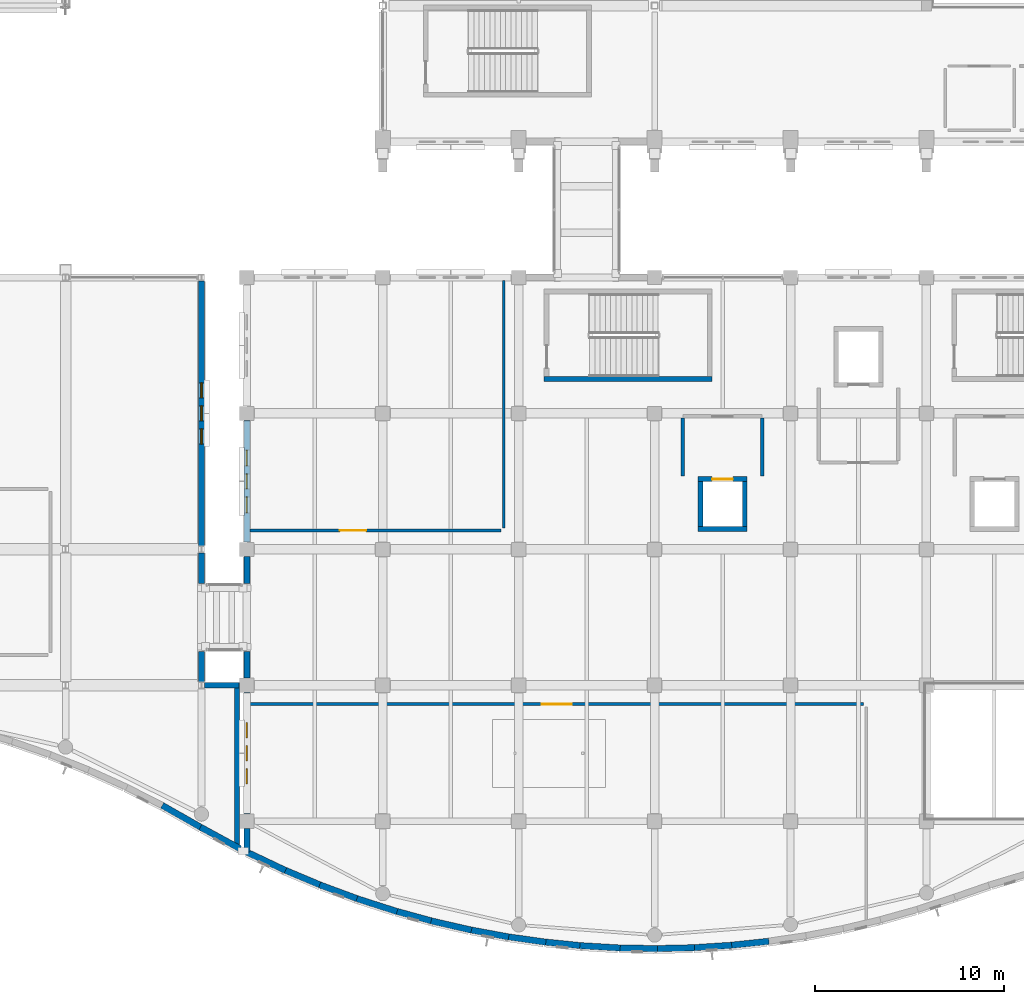
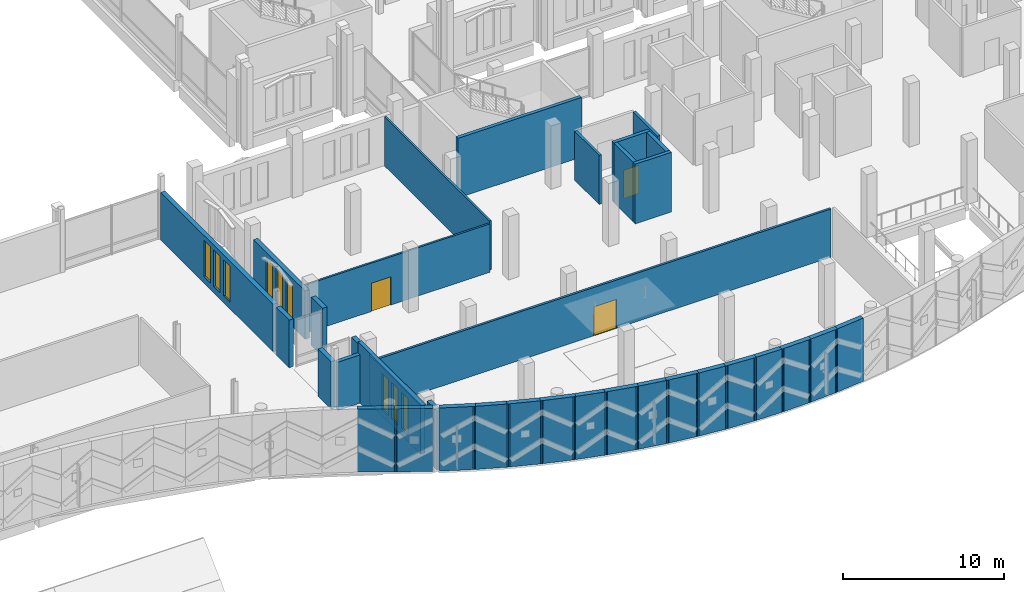
# One storey, part 140 of 193: 36 walls, 9 windows, 3 doors, 12 openings.
"""IFC4 building model written with IfcOpenShell, lengths in metres."""

from ifc_helpers import new_model, si_unit, direction, frame, frame_2d, origin, place, context, subcontext, project, spatial, rectangle, extrude, material, layer, layer_set, type_object, element, fill, save


model = new_model("IFC4")

# Units and contexts
model_context = context("Model", 3, precision=1e-05, world=origin(), true_north=direction((0.0, 1.0)))
body_context = subcontext(model_context, "Body", "Model", "MODEL_VIEW")
ifc_project = project(units=[si_unit("LENGTHUNIT", "METRE"), si_unit("AREAUNIT", "SQUARE_METRE"), si_unit("VOLUMEUNIT", "CUBIC_METRE"), si_unit("PLANEANGLEUNIT", "RADIAN"), si_unit("MASSUNIT", "GRAM", prefix="KILO")], contexts=[model_context])

# Site, building, storey
site_placement = place(None, origin())
site = spatial("IfcSite", under=ifc_project, at=site_placement, CompositionType="ELEMENT")
building_placement = place(site_placement, origin())
building = spatial("IfcBuilding", under=site, at=building_placement, Name="Cendralis Lancet Convention Centre", CompositionType="ELEMENT")
storey_placement = place(building_placement, frame((0.0, 0.0, 10.199951171875)))
storey = spatial("IfcBuildingStorey", under=building, at=storey_placement, Name="L02", CompositionType="ELEMENT", Elevation=10.199951171875)

# Walls
ifc_material_1 = material(Name="Buff sandstone ashlar and Concrete G40 (C40/50)", Category="masonry")
ifc_layer_1 = layer(ifc_material_1, 0.280029296875, Name="Buff sandstone ashlar and Concrete G40 (C40/50)")
ifc_layer_set_1 = layer_set([ifc_layer_1], Name="Buff sandstone ashlar and Concrete G40 (C40/50)")
wall_type_1 = type_object("IfcWallType", Name="ARC-EW-W280", PredefinedType="STANDARD", material=ifc_layer_set_1)
wall_1_placement = place(storey_placement, frame((131.47998046875, 14.5400390625, 0.0), z_axis=(0.0, 0.0, 1.0), x_axis=(0.0, -1.0, 0.0)))
element("IfcWall", 1, at=wall_1_placement, inside=storey, type_object=wall_type_1, Name="L02 V4 Wave East End Wall", PredefinedType="STANDARD", context=body_context, shape_type="SweptSolid", body=[
    extrude(rectangle(XDim=8.797119140625, YDim=0.280029296875, at=frame_2d((4.3984375, 0.0))), origin(), (0.0, 0.0, 1.0), 4.5),
])
wall_2_placement = place(storey_placement, frame((129.760009765625, 14.39990234375, 0.0), z_axis=(0.0, 0.0, 1.0), x_axis=(1.0, 0.0, 0.0)))
element("IfcWall", 2, at=wall_2_placement, inside=storey, type_object=wall_type_1, Name="L02 V4 Seismic Step Wall", PredefinedType="STANDARD", context=body_context, shape_type="SweptSolid", body=[
    extrude(rectangle(XDim=1.820068359375, YDim=0.280029296875, at=frame_2d((0.91015625, 0.0))), origin(), (0.0, 0.0, 1.0), 3.675048828125),
])
ifc_layer_2 = layer(ifc_material_1, 0.320068359375, Name="Buff sandstone ashlar and Concrete G40 (C40/50)")
ifc_layer_set_2 = layer_set([ifc_layer_2], Name="Buff sandstone ashlar and Concrete G40 (C40/50)")
wall_type_2 = type_object("IfcWallType", Name="ARC-EW-W320", PredefinedType="STANDARD", material=ifc_layer_set_2)
for number, where, z_axis, x_axis, name in (
    (3, (129.60009765625, 21.412109375, 0.0), (0.0, 0.0, 1.0), (0.0, -1.0, 0.0), "L02 V4 Exterior Wall EW-06 #0215"),
    (4, (129.60009765625, 16.199951171875, 0.0), (0.0, 0.0, 1.0), (0.0, -1.0, 0.0), "L02 V4 Exterior Wall EW-06 #0216"),
):
    element("IfcWall", number, at=place(storey_placement, frame(where, z_axis=z_axis, x_axis=x_axis)), inside=storey, type_object=wall_type_2, Name=name, PredefinedType="STANDARD", context=body_context, shape_type="SweptSolid", body=[
        extrude(rectangle(XDim=1.612060546875, YDim=0.320068359375, at=frame_2d((0.80615234375, 0.0))), origin(), (0.0, 0.0, 1.0), 3.625),
    ])

# Wall, openings, windows
wall_3_placement = place(storey_placement, frame((129.60009765625, 35.81201171875, 0.0), z_axis=(0.0, 0.0, 1.0), x_axis=(0.0, -1.0, 0.0)))
wall_3 = element("IfcWall", 5, at=wall_3_placement, inside=storey, type_object=wall_type_2, Name="L02 V4 Exterior Wall EW-06 #0217", PredefinedType="STANDARD", context=body_context, shape_type="SweptSolid", body=[
    extrude(rectangle(XDim=14.02392578125, YDim=0.320068359375, at=frame_2d((7.011962890625, 0.0))), origin(), (0.0, 0.0, 1.0), 3.625),
])
opening_1_placement = place(wall_3_placement, frame((5.39208984375, 0.0, 0.5)))
opening_1 = element("IfcOpeningElement", 6, at=opening_1_placement, cuts=wall_3, Name="Opening WN-07", PredefinedType="OPENING", context=body_context, shape_type="SweptSolid", body=[
    extrude(rectangle(XDim=0.800048828125, YDim=2.75, at=frame_2d((0.39990234375, 1.375))), frame((0.0, 0.169921875, 0.0), z_axis=(0.0, -1.0, 0.0), x_axis=(1.0, 0.0, 0.0)), (0.0, 0.0, 1.0), 0.340087890625),
])
opening_2_placement = place(wall_3_placement, frame((6.612060546875, 0.0, 0.5)))
opening_2 = element("IfcOpeningElement", 7, at=opening_2_placement, cuts=wall_3, Name="Opening WN-07", PredefinedType="OPENING", context=body_context, shape_type="SweptSolid", body=[
    extrude(rectangle(XDim=0.800048828125, YDim=2.75, at=frame_2d((0.39990234375, 1.375))), frame((0.0, 0.169921875, 0.0), z_axis=(0.0, -1.0, 0.0), x_axis=(1.0, 0.0, 0.0)), (0.0, 0.0, 1.0), 0.340087890625),
])
opening_3_placement = place(wall_3_placement, frame((7.83203125, 0.0, 0.5)))
opening_3 = element("IfcOpeningElement", 8, at=opening_3_placement, cuts=wall_3, Name="Opening WN-07", PredefinedType="OPENING", context=body_context, shape_type="SweptSolid", body=[
    extrude(rectangle(XDim=0.800048828125, YDim=2.75, at=frame_2d((0.39990234375, 1.375))), frame((0.0, 0.169921875, 0.0), z_axis=(0.0, -1.0, 0.0), x_axis=(1.0, 0.0, 0.0)), (0.0, 0.0, 1.0), 0.340087890625),
])
ifc_material_2 = material(Name="Double-glazed low-E solar-control glass", Category="glass")
window_type_1 = type_object("IfcWindowType", Name="ARC-WN-LW07", PartitioningType="SINGLE_PANEL", PredefinedType="WINDOW", material=ifc_material_2)
window_1_placement = place(opening_1_placement, origin())
window_1 = element("IfcWindow", 9, at=window_1_placement, inside=storey, type_object=window_type_1, Name="Gothic Lancet Window WN-07 #0430", OverallHeight=2.75, OverallWidth=0.800048828125, PartitioningType="SINGLE_PANEL", PredefinedType="WINDOW", context=body_context, shape_type="SweptSolid", body=[
    extrude(rectangle(XDim=0.800048828125, YDim=2.75, at=frame_2d((0.39990234375, 1.375))), frame((0.0, 0.030029296875, 0.0), z_axis=(0.0, -1.0, 0.0), x_axis=(1.0, 0.0, 0.0)), (0.0, 0.0, 1.0), 0.06005859375),
])
fill(opening_1, window_1)
window_2_placement = place(opening_2_placement, origin())
window_2 = element("IfcWindow", 10, at=window_2_placement, inside=storey, type_object=window_type_1, Name="Gothic Lancet Window WN-07 #0431", OverallHeight=2.75, OverallWidth=0.800048828125, PartitioningType="SINGLE_PANEL", PredefinedType="WINDOW", context=body_context, shape_type="SweptSolid", body=[
    extrude(rectangle(XDim=0.800048828125, YDim=2.75, at=frame_2d((0.39990234375, 1.375))), frame((0.0, 0.030029296875, 0.0), z_axis=(0.0, -1.0, 0.0), x_axis=(1.0, 0.0, 0.0)), (0.0, 0.0, 1.0), 0.06005859375),
])
fill(opening_2, window_2)
window_3_placement = place(opening_3_placement, origin())
window_3 = element("IfcWindow", 11, at=window_3_placement, inside=storey, type_object=window_type_1, Name="Gothic Lancet Window WN-07 #0432", OverallHeight=2.75, OverallWidth=0.800048828125, PartitioningType="SINGLE_PANEL", PredefinedType="WINDOW", context=body_context, shape_type="SweptSolid", body=[
    extrude(rectangle(XDim=0.800048828125, YDim=2.75, at=frame_2d((0.39990234375, 1.375))), frame((0.0, 0.030029296875, 0.0), z_axis=(0.0, -1.0, 0.0), x_axis=(1.0, 0.0, 0.0)), (0.0, 0.0, 1.0), 0.06005859375),
])
fill(opening_3, window_3)

# Wall
wall_4_placement = place(storey_placement, frame((132.0, 5.56005859375, 0.0), z_axis=(0.0, 0.0, 1.0), x_axis=(0.0, 1.0, 0.0)))
element("IfcWall", 12, at=wall_4_placement, inside=storey, type_object=wall_type_2, Name="L02 V5 Exterior Wall EW-06 #0296", PredefinedType="STANDARD", context=body_context, shape_type="SweptSolid", body=[
    extrude(rectangle(XDim=1.2568359375, YDim=0.320068359375, at=frame_2d((0.62841796875, 0.0))), origin(), (0.0, 0.0, 1.0), 4.5),
])

# Wall, openings, windows
wall_5_placement = place(storey_placement, frame((132.0, 7.5830078125, 0.0), z_axis=(0.0, 0.0, 1.0), x_axis=(0.0, 1.0, 0.0)))
wall_5 = element("IfcWall", 13, at=wall_5_placement, inside=storey, type_object=wall_type_2, Name="L02 V5 Exterior Wall EW-06 #0297", PredefinedType="STANDARD", context=body_context, shape_type="SweptSolid", body=[
    extrude(rectangle(XDim=6.43408203125, YDim=0.320068359375, at=frame_2d((3.217041015625, 0.0))), origin(), (0.0, 0.0, 1.0), 3.675048828125),
])
opening_4_placement = place(wall_5_placement, frame((1.596923828125, 0.0, 0.5)))
opening_4 = element("IfcOpeningElement", 14, at=opening_4_placement, cuts=wall_5, Name="Opening WN-07", PredefinedType="OPENING", context=body_context, shape_type="SweptSolid", body=[
    extrude(rectangle(XDim=0.800048828125, YDim=2.75, at=frame_2d((0.39990234375, 1.375))), frame((0.0, 0.169921875, 0.0), z_axis=(0.0, -1.0, 0.0), x_axis=(1.0, 0.0, 0.0)), (0.0, 0.0, 1.0), 0.340087890625),
])
opening_5_placement = place(wall_5_placement, frame((2.81689453125, 0.0, 0.5)))
opening_5 = element("IfcOpeningElement", 15, at=opening_5_placement, cuts=wall_5, Name="Opening WN-07", PredefinedType="OPENING", context=body_context, shape_type="SweptSolid", body=[
    extrude(rectangle(XDim=0.800048828125, YDim=2.75, at=frame_2d((0.39990234375, 1.375))), frame((0.0, 0.169921875, 0.0), z_axis=(0.0, -1.0, 0.0), x_axis=(1.0, 0.0, 0.0)), (0.0, 0.0, 1.0), 0.340087890625),
])
opening_6_placement = place(wall_5_placement, frame((4.037109375, 0.0, 0.5)))
opening_6 = element("IfcOpeningElement", 16, at=opening_6_placement, cuts=wall_5, Name="Opening WN-07", PredefinedType="OPENING", context=body_context, shape_type="SweptSolid", body=[
    extrude(rectangle(XDim=0.800048828125, YDim=2.75, at=frame_2d((0.39990234375, 1.375))), frame((0.0, 0.169921875, 0.0), z_axis=(0.0, -1.0, 0.0), x_axis=(1.0, 0.0, 0.0)), (0.0, 0.0, 1.0), 0.340087890625),
])
window_4_placement = place(opening_4_placement, origin())
window_4 = element("IfcWindow", 17, at=window_4_placement, inside=storey, type_object=window_type_1, Name="Gothic Lancet Window WN-07 #0577", OverallHeight=2.75, OverallWidth=0.800048828125, PartitioningType="SINGLE_PANEL", PredefinedType="WINDOW", context=body_context, shape_type="SweptSolid", body=[
    extrude(rectangle(XDim=0.800048828125, YDim=2.75, at=frame_2d((0.39990234375, 1.375))), frame((0.0, 0.030029296875, 0.0), z_axis=(0.0, -1.0, 0.0), x_axis=(1.0, 0.0, 0.0)), (0.0, 0.0, 1.0), 0.06005859375),
])
fill(opening_4, window_4)
window_5_placement = place(opening_5_placement, origin())
window_5 = element("IfcWindow", 18, at=window_5_placement, inside=storey, type_object=window_type_1, Name="Gothic Lancet Window WN-07 #0578", OverallHeight=2.75, OverallWidth=0.800048828125, PartitioningType="SINGLE_PANEL", PredefinedType="WINDOW", context=body_context, shape_type="SweptSolid", body=[
    extrude(rectangle(XDim=0.800048828125, YDim=2.75, at=frame_2d((0.39990234375, 1.375))), frame((0.0, 0.030029296875, 0.0), z_axis=(0.0, -1.0, 0.0), x_axis=(1.0, 0.0, 0.0)), (0.0, 0.0, 1.0), 0.06005859375),
])
fill(opening_5, window_5)
window_6_placement = place(opening_6_placement, origin())
window_6 = element("IfcWindow", 19, at=window_6_placement, inside=storey, type_object=window_type_1, Name="Gothic Lancet Window WN-07 #0579", OverallHeight=2.75, OverallWidth=0.800048828125, PartitioningType="SINGLE_PANEL", PredefinedType="WINDOW", context=body_context, shape_type="SweptSolid", body=[
    extrude(rectangle(XDim=0.800048828125, YDim=2.75, at=frame_2d((0.39990234375, 1.375))), frame((0.0, 0.030029296875, 0.0), z_axis=(0.0, -1.0, 0.0), x_axis=(1.0, 0.0, 0.0)), (0.0, 0.0, 1.0), 0.06005859375),
])
fill(opening_6, window_6)

# Walls
for number, where, z_axis, x_axis, name in (
    (20, (132.0, 14.782958984375, 0.0), (0.0, 0.0, 1.0), (0.0, 1.0, 0.0), "L02 V5 Exterior Wall EW-06 #0298"),
    (21, (132.0, 19.800048828125, 0.0), (0.0, 0.0, 1.0), (0.0, 1.0, 0.0), "L02 V5 Exterior Wall EW-06 #0299"),
):
    element("IfcWall", number, at=place(storey_placement, frame(where, z_axis=z_axis, x_axis=x_axis)), inside=storey, type_object=wall_type_2, Name=name, PredefinedType="STANDARD", context=body_context, shape_type="SweptSolid", body=[
        extrude(rectangle(XDim=1.4169921875, YDim=0.320068359375, at=frame_2d((0.70849609375, 0.0))), origin(), (0.0, 0.0, 1.0), 3.675048828125),
    ])

# Wall, openings, windows
wall_6_placement = place(storey_placement, frame((132.0, 21.98291015625, 0.0), z_axis=(0.0, 0.0, 1.0), x_axis=(0.0, 1.0, 0.0)))
wall_6 = element("IfcWall", 22, at=wall_6_placement, inside=storey, type_object=wall_type_2, Name="L02 V5 Exterior Wall EW-06 #0300", PredefinedType="STANDARD", context=body_context, shape_type="SweptSolid", body=[
    extrude(rectangle(XDim=6.43408203125, YDim=0.320068359375, at=frame_2d((3.217041015625, 0.0))), origin(), (0.0, 0.0, 1.0), 3.675048828125),
])
opening_7_placement = place(wall_6_placement, frame((1.556884765625, 0.0, 0.5)))
opening_7 = element("IfcOpeningElement", 23, at=opening_7_placement, cuts=wall_6, Name="Opening WN-15", PredefinedType="OPENING", context=body_context, shape_type="SweptSolid", body=[
    extrude(rectangle(XDim=0.840087890625, YDim=2.699951171875, at=frame_2d((0.419921875, 1.35009765625))), frame((0.0, 0.169921875, 0.0), z_axis=(0.0, -1.0, 0.0), x_axis=(1.0, 0.0, 0.0)), (0.0, 0.0, 1.0), 0.340087890625),
])
opening_8_placement = place(wall_6_placement, frame((2.81689453125, 0.0, 0.5)))
opening_8 = element("IfcOpeningElement", 24, at=opening_8_placement, cuts=wall_6, Name="Opening WN-07", PredefinedType="OPENING", context=body_context, shape_type="SweptSolid", body=[
    extrude(rectangle(XDim=0.800048828125, YDim=2.75, at=frame_2d((0.39990234375, 1.375))), frame((0.0, 0.169921875, 0.0), z_axis=(0.0, -1.0, 0.0), x_axis=(1.0, 0.0, 0.0)), (0.0, 0.0, 1.0), 0.340087890625),
])
opening_9_placement = place(wall_6_placement, frame((4.037109375, 0.0, 0.5)))
opening_9 = element("IfcOpeningElement", 25, at=opening_9_placement, cuts=wall_6, Name="Opening WN-15", PredefinedType="OPENING", context=body_context, shape_type="SweptSolid", body=[
    extrude(rectangle(XDim=0.840087890625, YDim=2.699951171875, at=frame_2d((0.419921875, 1.35009765625))), frame((0.0, 0.169921875, 0.0), z_axis=(0.0, -1.0, 0.0), x_axis=(1.0, 0.0, 0.0)), (0.0, 0.0, 1.0), 0.340087890625),
])
window_7_placement = place(opening_8_placement, origin())
window_7 = element("IfcWindow", 26, at=window_7_placement, inside=storey, type_object=window_type_1, Name="Gothic Lancet Window WN-07 #0581", OverallHeight=2.75, OverallWidth=0.800048828125, PartitioningType="SINGLE_PANEL", PredefinedType="WINDOW", context=body_context, shape_type="SweptSolid", body=[
    extrude(rectangle(XDim=0.800048828125, YDim=2.75, at=frame_2d((0.39990234375, 1.375))), frame((0.0, 0.030029296875, 0.0), z_axis=(0.0, -1.0, 0.0), x_axis=(1.0, 0.0, 0.0)), (0.0, 0.0, 1.0), 0.06005859375),
])
fill(opening_8, window_7)
window_type_2 = type_object("IfcWindowType", Name="ARC-WN-LW15", PartitioningType="SINGLE_PANEL", PredefinedType="WINDOW", material=ifc_material_2)
window_8_placement = place(opening_7_placement, origin())
window_8 = element("IfcWindow", 27, at=window_8_placement, inside=storey, type_object=window_type_2, Name="Gothic Lancet Window WN-15 #0580", OverallHeight=2.699951171875, OverallWidth=0.840087890625, PartitioningType="SINGLE_PANEL", PredefinedType="WINDOW", context=body_context, shape_type="SweptSolid", body=[
    extrude(rectangle(XDim=0.840087890625, YDim=2.699951171875, at=frame_2d((0.419921875, 1.35009765625))), frame((0.0, 0.030029296875, 0.0), z_axis=(0.0, -1.0, 0.0), x_axis=(1.0, 0.0, 0.0)), (0.0, 0.0, 1.0), 0.06005859375),
])
fill(opening_7, window_8)
window_9_placement = place(opening_9_placement, origin())
window_9 = element("IfcWindow", 28, at=window_9_placement, inside=storey, type_object=window_type_2, Name="Gothic Lancet Window WN-15 #0582", OverallHeight=2.699951171875, OverallWidth=0.840087890625, PartitioningType="SINGLE_PANEL", PredefinedType="WINDOW", context=body_context, shape_type="SweptSolid", body=[
    extrude(rectangle(XDim=0.840087890625, YDim=2.699951171875, at=frame_2d((0.419921875, 1.35009765625))), frame((0.0, 0.030029296875, 0.0), z_axis=(0.0, -1.0, 0.0), x_axis=(1.0, 0.0, 0.0)), (0.0, 0.0, 1.0), 0.06005859375),
])
fill(opening_9, window_9)

# Walls
ifc_layer_3 = layer(ifc_material_1, 0.340087890625, Name="Buff sandstone ashlar and Concrete G40 (C40/50)")
ifc_layer_set_3 = layer_set([ifc_layer_3], Name="Buff sandstone ashlar and Concrete G40 (C40/50)")
wall_type_3 = type_object("IfcWallType", Name="ARC-EW-W340", PredefinedType="STANDARD", material=ifc_layer_set_3)
wall_7_placement = place(storey_placement, frame((127.51611328125, 8.037109375, 0.0), z_axis=(0.0, 0.0, 1.0), x_axis=(0.869365001854, -0.494170510605, 0.0)))
element("IfcWall", 29, at=wall_7_placement, inside=storey, type_object=wall_type_3, Name="South Boulevard Wave Wall L02 WP-064-WP-065", PredefinedType="STANDARD", context=body_context, shape_type="SweptSolid", body=[
    extrude(rectangle(XDim=2.499267578125, YDim=0.340087890625, at=frame_2d((1.24951171875, 0.0))), origin(), (0.0, 0.0, 1.0), 4.800048828125),
])
wall_8_placement = place(storey_placement, frame((129.540283203125, 6.884521484375, 0.0), z_axis=(0.0, 0.0, 1.0), x_axis=(0.878535047762, -0.477677893411, 0.0)))
element("IfcWall", 30, at=wall_8_placement, inside=storey, type_object=wall_type_3, Name="South Boulevard Wave Wall L02 WP-065-WP-066", PredefinedType="STANDARD", context=body_context, shape_type="SweptSolid", body=[
    extrude(rectangle(XDim=2.389892578125, YDim=0.340087890625, at=frame_2d((1.19482421875, 0.0))), origin(), (0.0, 0.0, 1.0), 4.800048828125),
])
wall_9_placement = place(storey_placement, frame((132.0, 5.56005859375, 0.0), z_axis=(0.0, 0.0, 1.0), x_axis=(0.903507193963, -0.428572923151, 0.0)))
element("IfcWall", 31, at=wall_9_placement, inside=storey, type_object=wall_type_3, Name="South Boulevard Wave Wall L02 WP-067-WP-068", PredefinedType="STANDARD", context=body_context, shape_type="SweptSolid", body=[
    extrude(rectangle(XDim=2.264404296875, YDim=0.340087890625, at=frame_2d((1.13232421875, 0.0))), origin(), (0.0, 0.0, 1.0), 4.800048828125),
])
wall_10_placement = place(storey_placement, frame((133.890625, 4.658935546875, 0.0), z_axis=(0.0, 0.0, 1.0), x_axis=(0.921828570825, -0.387597840564, 0.0)))
element("IfcWall", 32, at=wall_10_placement, inside=storey, type_object=wall_type_3, Name="South Boulevard Wave Wall L02 WP-068-WP-069", PredefinedType="STANDARD", context=body_context, shape_type="SweptSolid", body=[
    extrude(rectangle(XDim=2.305908203125, YDim=0.340087890625, at=frame_2d((1.15283203125, 0.0))), origin(), (0.0, 0.0, 1.0), 4.800048828125),
])
wall_11_placement = place(storey_placement, frame((135.8583984375, 3.827392578125, 0.0), z_axis=(0.0, 0.0, 1.0), x_axis=(0.93814646978, -0.346238647813, 0.0)))
element("IfcWall", 33, at=wall_11_placement, inside=storey, type_object=wall_type_3, Name="South Boulevard Wave Wall L02 WP-069-WP-070", PredefinedType="STANDARD", context=body_context, shape_type="SweptSolid", body=[
    extrude(rectangle(XDim=2.269775390625, YDim=0.340087890625, at=frame_2d((1.134765625, 0.0))), origin(), (0.0, 0.0, 1.0), 4.800048828125),
])
wall_12_placement = place(storey_placement, frame((137.8271484375, 3.096923828125, 0.0), z_axis=(0.0, 0.0, 1.0), x_axis=(0.952169210283, -0.305571260083, 0.0)))
element("IfcWall", 34, at=wall_12_placement, inside=storey, type_object=wall_type_3, Name="South Boulevard Wave Wall L02 WP-070-WP-071", PredefinedType="STANDARD", context=body_context, shape_type="SweptSolid", body=[
    extrude(rectangle(XDim=2.23779296875, YDim=0.340087890625, at=frame_2d((1.118896484375, 0.0))), origin(), (0.0, 0.0, 1.0), 4.800048828125),
])
wall_13_placement = place(storey_placement, frame((139.794921875, 2.46142578125, 0.0), z_axis=(0.0, 0.0, 1.0), x_axis=(0.964393520916, -0.264471429108, 0.0)))
element("IfcWall", 35, at=wall_13_placement, inside=storey, type_object=wall_type_3, Name="South Boulevard Wave Wall L02 WP-071-WP-072", PredefinedType="STANDARD", context=body_context, shape_type="SweptSolid", body=[
    extrude(rectangle(XDim=2.2119140625, YDim=0.340087890625, at=frame_2d((1.10595703125, 0.0))), origin(), (0.0, 0.0, 1.0), 4.800048828125),
])
wall_14_placement = place(storey_placement, frame((141.76318359375, 1.91796875, 0.0), z_axis=(0.0, 0.0, 1.0), x_axis=(0.974752541238, -0.223287893424, 0.0)))
element("IfcWall", 36, at=wall_14_placement, inside=storey, type_object=wall_type_3, Name="South Boulevard Wave Wall L02 WP-072-WP-073", PredefinedType="STANDARD", context=body_context, shape_type="SweptSolid", body=[
    extrude(rectangle(XDim=2.18994140625, YDim=0.340087890625, at=frame_2d((1.094970703125, 0.0))), origin(), (0.0, 0.0, 1.0), 4.800048828125),
])
wall_15_placement = place(storey_placement, frame((143.7314453125, 1.46337890625, 0.0), z_axis=(0.0, 0.0, 1.0), x_axis=(0.983183551004, -0.182620111256, 0.0)))
element("IfcWall", 37, at=wall_15_placement, inside=storey, type_object=wall_type_3, Name="South Boulevard Wave Wall L02 WP-073-WP-074", PredefinedType="STANDARD", context=body_context, shape_type="SweptSolid", body=[
    extrude(rectangle(XDim=2.173828125, YDim=0.340087890625, at=frame_2d((1.0869140625, 0.0))), origin(), (0.0, 0.0, 1.0), 4.800048828125),
])
wall_16_placement = place(storey_placement, frame((145.700927734375, 1.093994140625, 0.0), z_axis=(0.0, 0.0, 1.0), x_axis=(0.989974357752, -0.141247198176, 0.0)))
element("IfcWall", 38, at=wall_16_placement, inside=storey, type_object=wall_type_3, Name="South Boulevard Wave Wall L02 WP-074-WP-075", PredefinedType="STANDARD", context=body_context, shape_type="SweptSolid", body=[
    extrude(rectangle(XDim=2.158935546875, YDim=0.340087890625, at=frame_2d((1.07958984375, 0.0))), origin(), (0.0, 0.0, 1.0), 4.800048828125),
])
wall_17_placement = place(storey_placement, frame((147.66943359375, 0.8095703125, 0.0), z_axis=(0.0, 0.0, 1.0), x_axis=(0.994978527068, -0.100088614107, 0.0)))
element("IfcWall", 39, at=wall_17_placement, inside=storey, type_object=wall_type_3, Name="South Boulevard Wave Wall L02 WP-075-WP-076", PredefinedType="STANDARD", context=body_context, shape_type="SweptSolid", body=[
    extrude(rectangle(XDim=2.14892578125, YDim=0.340087890625, at=frame_2d((1.074462890625, 0.0))), origin(), (0.0, 0.0, 1.0), 4.800048828125),
])
wall_18_placement = place(storey_placement, frame((149.63818359375, 0.60791015625, 0.0), z_axis=(0.0, 0.0, 1.0), x_axis=(0.998242794365, -0.059256421583, 0.0)))
element("IfcWall", 40, at=wall_18_placement, inside=storey, type_object=wall_type_3, Name="South Boulevard Wave Wall L02 WP-076-WP-077", PredefinedType="STANDARD", context=body_context, shape_type="SweptSolid", body=[
    extrude(rectangle(XDim=2.142333984375, YDim=0.340087890625, at=frame_2d((1.0712890625, 0.0))), origin(), (0.0, 0.0, 1.0), 4.800048828125),
])
wall_19_placement = place(storey_placement, frame((151.60693359375, 0.487548828125, 0.0), z_axis=(0.0, 0.0, 1.0), x_axis=(0.999833467677, -0.018249298977, 0.0)))
element("IfcWall", 41, at=wall_19_placement, inside=storey, type_object=wall_type_3, Name="South Boulevard Wave Wall L02 WP-077-WP-078", PredefinedType="STANDARD", context=body_context, shape_type="SweptSolid", body=[
    extrude(rectangle(XDim=2.140380859375, YDim=0.340087890625, at=frame_2d((1.0703125, 0.0))), origin(), (0.0, 0.0, 1.0), 4.800048828125),
])
wall_20_placement = place(storey_placement, frame((153.576904296875, 0.447998046875, 0.0), z_axis=(0.0, 0.0, 1.0), x_axis=(0.999739592294, 0.022819894825, 0.0)))
element("IfcWall", 42, at=wall_20_placement, inside=storey, type_object=wall_type_3, Name="South Boulevard Wave Wall L02 WP-078-WP-079", PredefinedType="STANDARD", context=body_context, shape_type="SweptSolid", body=[
    extrude(rectangle(XDim=2.1396484375, YDim=0.340087890625, at=frame_2d((1.06982421875, 0.0))), origin(), (0.0, 0.0, 1.0), 4.800048828125),
])
wall_21_placement = place(storey_placement, frame((155.546142578125, 0.489501953125, 0.0), z_axis=(0.0, 0.0, 1.0), x_axis=(0.997955655169, 0.063910173807, 0.0)))
element("IfcWall", 43, at=wall_21_placement, inside=storey, type_object=wall_type_3, Name="South Boulevard Wave Wall L02 WP-079-WP-080", PredefinedType="STANDARD", context=body_context, shape_type="SweptSolid", body=[
    extrude(rectangle(XDim=2.14306640625, YDim=0.340087890625, at=frame_2d((1.071533203125, 0.0))), origin(), (0.0, 0.0, 1.0), 4.800048828125),
])
wall_22_placement = place(storey_placement, frame((157.515380859375, 0.612060546875, 0.0), z_axis=(0.0, 0.0, 1.0), x_axis=(0.994468682543, 0.105033515797, 0.0)))
element("IfcWall", 44, at=wall_22_placement, inside=storey, type_object=wall_type_3, Name="South Boulevard Wave Wall L02 WP-080-WP-081", PredefinedType="STANDARD", context=body_context, shape_type="SweptSolid", body=[
    extrude(rectangle(XDim=2.150146484375, YDim=0.340087890625, at=frame_2d((1.0751953125, 0.0))), origin(), (0.0, 0.0, 1.0), 4.800048828125),
])

# Wall, opening, door
ifc_material_3 = material(Name="Acoustic fire-rated gypsum board on steel studs", Category="steel")
ifc_layer_4 = layer(ifc_material_3, 0.139892578125, Name="Acoustic fire-rated gypsum board on steel studs")
ifc_layer_set_4 = layer_set([ifc_layer_4], Name="Acoustic fire-rated gypsum board on steel studs")
wall_type_4 = type_object("IfcWallType", Name="ARC-IW-P140", PredefinedType="PARTITIONING", material=ifc_layer_set_4)
wall_23_placement = place(storey_placement, frame((132.169921875, 22.60009765625, 0.0), z_axis=(0.0, 0.0, 1.0), x_axis=(1.0, 0.0, 0.0)))
wall_23 = element("IfcWall", 45, at=wall_23_placement, inside=storey, type_object=wall_type_4, Name="L02 Interior Partition IW-04 #0393", PredefinedType="PARTITIONING", context=body_context, shape_type="SweptSolid", body=[
    extrude(rectangle(XDim=13.2900390625, YDim=0.139892578125, at=frame_2d((6.64501953125, 0.0))), origin(), (0.0, 0.0, 1.0), 3.675048828125),
])
opening_10_placement = place(wall_23_placement, frame((4.756103515625, 0.0, 0.0)))
opening_10 = element("IfcOpeningElement", 46, at=opening_10_placement, cuts=wall_23, Name="Opening ID-14", PredefinedType="OPENING", context=body_context, shape_type="SweptSolid", body=[
    extrude(rectangle(XDim=1.39990234375, YDim=2.14990234375, at=frame_2d((0.699951171875, 1.074951171875))), frame((0.0, 0.079833984375, 0.0), z_axis=(0.0, -1.0, 0.0), x_axis=(1.0, 0.0, 0.0)), (0.0, 0.0, 1.0), 0.159912109375),
])
ifc_material_4 = material(Name="Acoustic Chilean lenga timber and steel fire leaf", Category="steel")
door_type_1 = type_object("IfcDoorType", Name="ARC-DR-DB14", OperationType="NOTDEFINED", PredefinedType="DOOR", material=ifc_material_4)
door_1_placement = place(opening_10_placement, origin())
door_1 = element("IfcDoor", 47, at=door_1_placement, inside=storey, type_object=door_type_1, Name="L02-D024 L02 Interior Door ID-14 #0134", OperationType="DOUBLE_DOOR_SINGLE_SWING", OverallHeight=2.14990234375, OverallWidth=1.39990234375, PredefinedType="DOOR", context=body_context, shape_type="SweptSolid", body=[
    extrude(rectangle(XDim=1.39990234375, YDim=2.14990234375, at=frame_2d((0.699951171875, 1.074951171875))), frame((0.0, 0.02490234375, 0.0), z_axis=(0.0, -1.0, 0.0), x_axis=(1.0, 0.0, 0.0)), (0.0, 0.0, 1.0), 0.050048828125),
])
fill(opening_10, door_1)

# Wall
wall_24_placement = place(storey_placement, frame((145.60009765625, 22.739990234375, 0.0), z_axis=(0.0, 0.0, 1.0), x_axis=(0.0, 1.0, 0.0)))
element("IfcWall", 48, at=wall_24_placement, inside=storey, type_object=wall_type_4, Name="L02 Interior Partition IW-04 #0394", PredefinedType="PARTITIONING", context=body_context, shape_type="SweptSolid", body=[
    extrude(rectangle(XDim=13.090087890625, YDim=0.139892578125, at=frame_2d((6.544921875, 0.0))), origin(), (0.0, 0.0, 1.0), 3.72509765625),
])

# Wall, opening, door
ifc_layer_5 = layer(ifc_material_3, 0.159912109375, Name="Acoustic fire-rated gypsum board on steel studs")
ifc_layer_set_5 = layer_set([ifc_layer_5], Name="Acoustic fire-rated gypsum board on steel studs")
wall_type_5 = type_object("IfcWallType", Name="ARC-IW-P160", PredefinedType="PARTITIONING", material=ifc_layer_set_5)
wall_25_placement = place(storey_placement, frame((132.169921875, 13.39990234375, 0.0), z_axis=(0.0, 0.0, 1.0), x_axis=(1.0, 0.0, 0.0)))
wall_25 = element("IfcWall", 49, at=wall_25_placement, inside=storey, type_object=wall_type_5, Name="L02 Interior Partition IW-03 #0386", PredefinedType="PARTITIONING", context=body_context, shape_type="SweptSolid", body=[
    extrude(rectangle(XDim=32.489990234375, YDim=0.159912109375, at=frame_2d((16.2451171875, 0.0))), origin(), (0.0, 0.0, 1.0), 3.675048828125),
])
opening_11_placement = place(wall_25_placement, frame((15.445068359375, 0.0, 0.0)))
opening_11 = element("IfcOpeningElement", 50, at=opening_11_placement, cuts=wall_25, Name="Opening ID-16", PredefinedType="OPENING", context=body_context, shape_type="SweptSolid", body=[
    extrude(rectangle(XDim=1.60009765625, YDim=2.199951171875, at=frame_2d((0.800048828125, 1.10009765625))), frame((0.0, 0.08984375, 0.0), z_axis=(0.0, -1.0, 0.0), x_axis=(1.0, 0.0, 0.0)), (0.0, 0.0, 1.0), 0.179931640625),
])
door_type_2 = type_object("IfcDoorType", Name="ARC-DR-DB16", OperationType="NOTDEFINED", PredefinedType="DOOR", material=ifc_material_4)
door_2_placement = place(opening_11_placement, frame((1.60009765625, 0.0, 0.0), z_axis=(0.0, 0.0, 1.0), x_axis=(-1.0, 0.0, 0.0)))
door_2 = element("IfcDoor", 51, at=door_2_placement, inside=storey, type_object=door_type_2, Name="L02-D021 L02 Interior Door ID-16 #0131", OperationType="DOUBLE_DOOR_SINGLE_SWING", OverallHeight=2.199951171875, OverallWidth=1.60009765625, PredefinedType="DOOR", context=body_context, shape_type="SweptSolid", body=[
    extrude(rectangle(XDim=1.60009765625, YDim=2.199951171875, at=frame_2d((0.800048828125, 1.10009765625))), frame((0.0, 0.02490234375, 0.0), z_axis=(0.0, -1.0, 0.0), x_axis=(1.0, 0.0, 0.0)), (0.0, 0.0, 1.0), 0.050048828125),
])
fill(opening_11, door_2)

# Walls
ifc_layer_6 = layer(ifc_material_3, 0.179931640625, Name="Acoustic fire-rated gypsum board on steel studs")
ifc_layer_set_6 = layer_set([ifc_layer_6], Name="Acoustic fire-rated gypsum board on steel studs")
wall_type_6 = type_object("IfcWallType", Name="ARC-IW-P180", PredefinedType="PARTITIONING", material=ifc_layer_set_6)
for number, where, z_axis, x_axis, name in (
    (52, (155.10009765625, 25.5, 0.0), (0.0, 0.0, 1.0), (0.0, 1.0, 0.0), "L02 Lift Lobby LP-01 West Wall"),
    (53, (159.300048828125, 25.5, 0.0), (0.0, 0.0, 1.0), (0.0, 1.0, 0.0), "L02 Lift Lobby LP-01 East Wall"),
):
    element("IfcWall", number, at=place(storey_placement, frame(where, z_axis=z_axis, x_axis=x_axis)), inside=storey, type_object=wall_type_6, Name=name, PredefinedType="PARTITIONING", context=body_context, shape_type="SweptSolid", body=[
        extrude(rectangle(XDim=3.050048828125, YDim=0.179931640625, at=frame_2d((1.52490234375, 0.0))), origin(), (0.0, 0.0, 1.0), 3.72509765625),
    ])
ifc_material_5 = material(Name="Concrete G40 (C40/50)", Category="concrete")
ifc_layer_7 = layer(ifc_material_5, 0.25, Name="Concrete G40 (C40/50)")
ifc_layer_set_7 = layer_set([ifc_layer_7], Name="Concrete G40 (C40/50)")
wall_type_7 = type_object("IfcWallType", Name="STR-SW-CW250", PredefinedType="SHEAR", material=ifc_layer_set_7)
wall_26_placement = place(storey_placement, frame((147.75, 30.625, 0.0), z_axis=(0.0, 0.0, 1.0), x_axis=(1.0, 0.0, 0.0)))
element("IfcWall", 54, at=wall_26_placement, inside=storey, type_object=wall_type_7, Name="L02 Stair Core ST-13 South Shear Wall", PredefinedType="SHEAR", context=body_context, shape_type="SweptSolid", body=[
    extrude(rectangle(XDim=8.89990234375, YDim=0.25, at=frame_2d((4.449951171875, 0.0))), origin(), (0.0, 0.0, 1.0), 4.5400390625),
])
wall_27_placement = place(storey_placement, frame((155.89990234375, 22.675048828125, 0.0), z_axis=(0.0, 0.0, 1.0), x_axis=(1.0, 0.0, 0.0)))
element("IfcWall", 55, at=wall_27_placement, inside=storey, type_object=wall_type_7, Name="L02 Lift LP-01 South Shaft Wall", PredefinedType="SHEAR", context=body_context, shape_type="SweptSolid", body=[
    extrude(rectangle(XDim=2.60009765625, YDim=0.25, at=frame_2d((1.300048828125, 0.0))), origin(), (0.0, 0.0, 1.0), 4.5400390625),
])

# Wall, opening, door
wall_28_placement = place(storey_placement, frame((155.89990234375, 25.324951171875, 0.0), z_axis=(0.0, 0.0, 1.0), x_axis=(1.0, 0.0, 0.0)))
wall_28 = element("IfcWall", 56, at=wall_28_placement, inside=storey, type_object=wall_type_7, Name="L02 Lift LP-01 North Shaft Wall", PredefinedType="SHEAR", context=body_context, shape_type="SweptSolid", body=[
    extrude(rectangle(XDim=2.60009765625, YDim=0.25, at=frame_2d((1.300048828125, 0.0))), origin(), (0.0, 0.0, 1.0), 4.5400390625),
])
opening_12_placement = place(wall_28_placement, frame((0.75, 0.0, 0.0)))
opening_12 = element("IfcOpeningElement", 57, at=opening_12_placement, cuts=wall_28, Name="Opening LD-11", PredefinedType="OPENING", context=body_context, shape_type="SweptSolid", body=[
    extrude(rectangle(XDim=1.10009765625, YDim=2.14990234375, at=frame_2d((0.550048828125, 1.074951171875))), frame((0.0, 0.135009765625, 0.0), z_axis=(0.0, -1.0, 0.0), x_axis=(1.0, 0.0, 0.0)), (0.0, 0.0, 1.0), 0.27001953125),
])
ifc_material_6 = material(Name="Anodised bronze architectural aluminium", Category="aluminium")
door_type_3 = type_object("IfcDoorType", Name="ARC-DR-LD11", OperationType="NOTDEFINED", PredefinedType="DOOR", material=ifc_material_6)
door_3_placement = place(opening_12_placement, origin())
door_3 = element("IfcDoor", 58, at=door_3_placement, inside=storey, type_object=door_type_3, Name="L02-D033 L02 Lift LP-01 Sliding Landing Door", OperationType="SLIDING_TO_LEFT", OverallHeight=2.14990234375, OverallWidth=1.10009765625, PredefinedType="DOOR", context=body_context, shape_type="SweptSolid", body=[
    extrude(rectangle(XDim=1.10009765625, YDim=2.14990234375, at=frame_2d((0.550048828125, 1.074951171875))), frame((0.0, 0.02490234375, 0.0), z_axis=(0.0, -1.0, 0.0), x_axis=(1.0, 0.0, 0.0)), (0.0, 0.0, 1.0), 0.050048828125),
])
fill(opening_12, door_3)

# Walls
for number, where, z_axis, x_axis, name in (
    (59, (156.02490234375, 22.800048828125, 0.0), (0.0, 0.0, 1.0), (0.0, 1.0, 0.0), "L02 Lift LP-01 West Shaft Wall"),
    (60, (158.375, 22.800048828125, 0.0), (0.0, 0.0, 1.0), (0.0, 1.0, 0.0), "L02 Lift LP-01 East Shaft Wall"),
):
    element("IfcWall", number, at=place(storey_placement, frame(where, z_axis=z_axis, x_axis=x_axis)), inside=storey, type_object=wall_type_7, Name=name, PredefinedType="SHEAR", context=body_context, shape_type="SweptSolid", body=[
        extrude(rectangle(XDim=2.39990234375, YDim=0.25, at=frame_2d((1.199951171875, 0.0))), origin(), (0.0, 0.0, 1.0), 4.5400390625),
    ])

save(model, "model.ifc")
